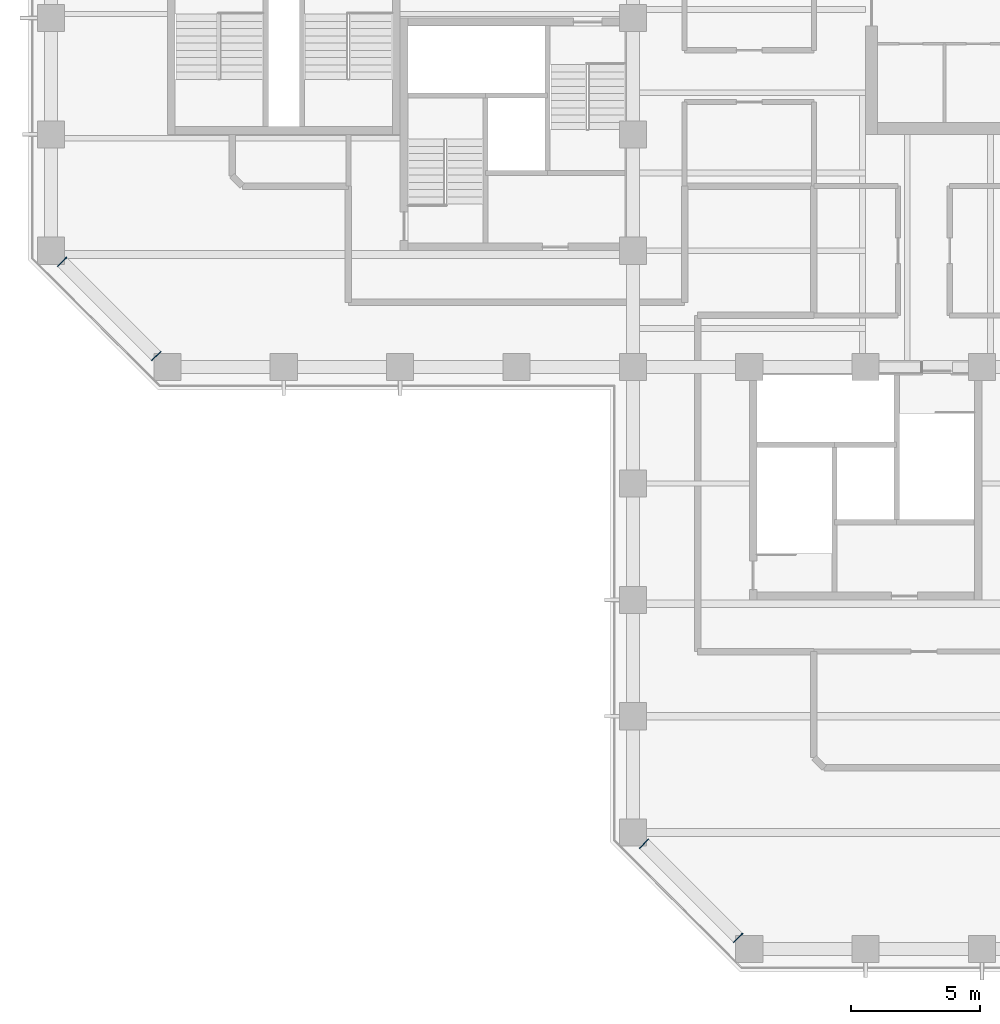
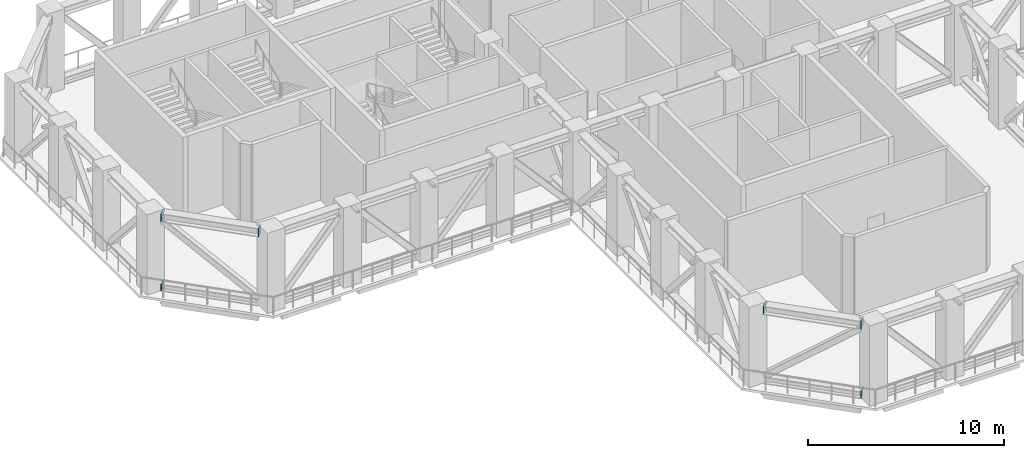
# One storey, part 9 of 14: 6 discrete accessories.
"""IFC4 building model written with IfcOpenShell, lengths in metres."""

import ifcopenshell
import ifcopenshell.guid

model = None  # the IFC model being written
_history = None  # IfcOwnerHistory: only IFC2X3 demands one
_inside = {}  # id of a spatial element -> (the spatial element, [elements in it])
_under = {}  # id of a project, library or spatial element -> (it, [spatial elements below it])
_declared = {}  # id of a project -> (the project, [libraries it declares])
_typed = {}  # id of a type object -> (the type object, [elements of that type])
_made_of = {}  # id of a material, layer set ... -> (it, [elements and type objects made of it])


def new_model(schema):
    """Start an empty IFC model of exactly this schema.

    Asked for "IFC4X3", IfcOpenShell would pick the latest addendum, in which some entities
    have other attributes; the version numbers below select the first issue.
    IFC2X3 requires an IfcOwnerHistory on every rooted entity: one is made here for all.
    """
    global model, _history
    if schema == "IFC4X3":
        model = ifcopenshell.file(schema_version=(4, 3, 0, 0))
    else:
        model = ifcopenshell.file(schema=schema)
    _inside.clear()
    _under.clear()
    _declared.clear()
    _typed.clear()
    _made_of.clear()
    _history = None
    if model.schema == "IFC2X3":
        org = make("IfcOrganization", Name="unknown")
        user = make(
            "IfcPersonAndOrganization",
            ThePerson=make("IfcPerson", FamilyName="unknown"),
            TheOrganization=org,
        )
        app = make(
            "IfcApplication",
            ApplicationDeveloper=org,
            Version="unknown",
            ApplicationFullName="unknown",
            ApplicationIdentifier="unknown",
        )
        _history = make(
            "IfcOwnerHistory",
            OwningUser=user,
            OwningApplication=app,
            ChangeAction="ADDED",
            CreationDate=0,
        )
    return model


def make(cls, **values):
    """One entity of the class cls with the attributes given. An attribute that is None is left unset."""
    return model.create_entity(
        cls, **{name: value for name, value in values.items() if value is not None}
    )


def rooted(cls, **values):
    """An entity with a GlobalId (a new one), such as an element, a storey or a relation."""
    return make(cls, GlobalId=ifcopenshell.guid.new(), OwnerHistory=_history, **values)


def si_unit(unit_type, name, prefix=None):
    """IfcSIUnit, for example si_unit("LENGTHUNIT", "METRE", prefix="MILLI")."""
    return make("IfcSIUnit", UnitType=unit_type, Prefix=prefix, Name=name)


def assignment(units):
    """IfcUnitAssignment: the units of a project."""
    return None if units is None else make("IfcUnitAssignment", Units=units)


def point(xyz):
    """IfcCartesianPoint."""
    return None if xyz is None else make("IfcCartesianPoint", Coordinates=xyz)


def direction(xyz):
    """IfcDirection."""
    return None if xyz is None else make("IfcDirection", DirectionRatios=xyz)


def frame(location, z_axis=None, x_axis=None):
    """IfcAxis2Placement3D, a coordinate frame: its origin and axes. An axis left out is left unset."""
    return make(
        "IfcAxis2Placement3D",
        Location=point(location),
        Axis=direction(z_axis),
        RefDirection=direction(x_axis),
    )


def frame_2d(location, x_axis=None):
    """IfcAxis2Placement2D, a coordinate frame in the plane: its origin and x axis."""
    return make(
        "IfcAxis2Placement2D", Location=point(location), RefDirection=direction(x_axis)
    )


def origin():
    """The frame at (0, 0, 0) with its axes left unset."""
    return frame((0.0, 0.0, 0.0))


def origin_2d():
    """The frame at (0, 0) in the plane with its x axis left unset."""
    return frame_2d((0.0, 0.0))


def place(relative_to, where):
    """IfcLocalPlacement: puts the frame where relative to a parent placement (None: the world)."""
    return make(
        "IfcLocalPlacement", PlacementRelTo=relative_to, RelativePlacement=where
    )


def context(
    kind, dimensions, precision=None, world=None, true_north=None, identifier=None
):
    """IfcGeometricRepresentationContext, for example the 3D "Model" context."""
    return make(
        "IfcGeometricRepresentationContext",
        ContextIdentifier=identifier,
        ContextType=kind,
        CoordinateSpaceDimension=dimensions,
        Precision=precision,
        WorldCoordinateSystem=world,
        TrueNorth=true_north,
    )


def subcontext(parent, identifier, kind, view, scale=None):
    """IfcGeometricRepresentationSubContext, for example "Body" below "Model"."""
    return make(
        "IfcGeometricRepresentationSubContext",
        ContextIdentifier=identifier,
        ContextType=kind,
        ParentContext=parent,
        TargetScale=scale,
        TargetView=view,
    )


def project(units=None, contexts=None):
    """IfcProject with its units and contexts."""
    return rooted(
        "IfcProject",
        Name="project",
        RepresentationContexts=contexts,
        UnitsInContext=assignment(units),
    )


def spatial(cls, under=None, at=None, **own):
    """A site, building, storey or space (cls), placed at a placement, below another one or the project."""
    s = rooted(cls, ObjectPlacement=at, **own)
    if under is not None:
        _under.setdefault(under.id(), (under, []))[1].append(s)
    return s


def profile(cls, at=None, kind="AREA", **sizes):
    """A parametric profile (cls). Its sizes go by their IFC names, for example OverallWidth=200.0."""
    return make(cls, ProfileType=kind, Position=at, **sizes)


def rectangle(**sizes):
    """IfcRectangleProfileDef."""
    return profile("IfcRectangleProfileDef", **sizes)


def extrude(swept, where, along, depth):
    """IfcExtrudedAreaSolid: the profile swept, set in the frame where, extruded along a direction by depth."""
    return make(
        "IfcExtrudedAreaSolid",
        SweptArea=swept,
        Position=where,
        ExtrudedDirection=direction(along),
        Depth=depth,
    )


def shape(context_of_items, identifier, shape_type, items):
    """IfcShapeRepresentation: the items that make up one representation, for example the "Body"."""
    return make(
        "IfcShapeRepresentation",
        ContextOfItems=context_of_items,
        RepresentationIdentifier=identifier,
        RepresentationType=shape_type,
        Items=items,
    )


def material(Name=None, Category=None):
    """IfcMaterial."""
    return make("IfcMaterial", Name=Name, Category=Category)


def made_of(thing, what):
    """Note that an element or type object is made of a material, layer set ...; save() writes the relation."""
    if what is not None:
        _made_of.setdefault(what.id(), (what, []))[1].append(thing)
    return thing


def element(
    cls,
    number,
    at=None,
    inside=None,
    cuts=None,
    type_object=None,
    material=None,
    context=None,
    identifier="Body",
    shape_type=None,
    held_by="IfcProductDefinitionShape",
    body=None,
    shapes=None,
    **own,
):
    """One element of the class cls, such as IfcWall. Its Tag is "e" and its number.

    at: its placement. inside: the storey or other place that contains it. cuts: it is an
    opening in that element (IfcRelVoidsElement). A single representation is given by context,
    identifier, shape_type and body (its items); several are given by shapes. held_by: the class
    of the entity that holds the representations. save() writes the other relations.
    """
    e = rooted(cls, Tag="e%d" % number, ObjectPlacement=at, **own)
    if body is not None:
        shapes = [shape(context, identifier, shape_type, body)]
    if shapes is not None:
        e.Representation = make(held_by, Representations=shapes)
    if inside is not None:
        _inside.setdefault(inside.id(), (inside, []))[1].append(e)
    if cuts is not None:
        rooted(
            "IfcRelVoidsElement", RelatingBuildingElement=cuts, RelatedOpeningElement=e
        )
    if type_object is not None:
        _typed.setdefault(type_object.id(), (type_object, []))[1].append(e)
    return made_of(e, material)


def aggregate(whole, parts):
    """IfcRelAggregates: a whole, such as a stair, and the parts it consists of."""
    return rooted("IfcRelAggregates", RelatingObject=whole, RelatedObjects=parts)


def save(model, path):
    """Write the relations noted so far, then the file.

    IfcRelAggregates (storeys below a building ...), IfcRelContainedInSpatialStructure (elements
    in a storey), IfcRelDefinesByType, IfcRelAssociatesMaterial and IfcRelDeclares: one each for
    every whole, place, type object, material and project.
    """
    for whole, parts in _under.values():
        aggregate(whole, parts)
    for where, things in _inside.values():
        rooted(
            "IfcRelContainedInSpatialStructure",
            RelatedElements=things,
            RelatingStructure=where,
        )
    for kind, things in _typed.values():
        rooted("IfcRelDefinesByType", RelatedObjects=things, RelatingType=kind)
    for what, things in _made_of.values():
        rooted("IfcRelAssociatesMaterial", RelatedObjects=things, RelatingMaterial=what)
    for by, libraries in _declared.values():
        rooted("IfcRelDeclares", RelatingContext=by, RelatedDefinitions=libraries)
    model.write(path)


model = new_model("IFC4")

# Units and contexts
model_context = context("Model", 3, precision=1e-05, world=origin(), true_north=direction((0.0, 1.0)))
body_context = subcontext(model_context, "Body", "Model", "MODEL_VIEW")
ifc_project = project(units=[si_unit("LENGTHUNIT", "METRE"), si_unit("AREAUNIT", "SQUARE_METRE"), si_unit("VOLUMEUNIT", "CUBIC_METRE"), si_unit("PLANEANGLEUNIT", "RADIAN"), si_unit("MASSUNIT", "GRAM", prefix="KILO")], contexts=[model_context])

# Site, building, storey
site_placement = place(None, origin())
site = spatial("IfcSite", under=ifc_project, at=site_placement, CompositionType="ELEMENT")
building_placement = place(site_placement, origin())
building = spatial("IfcBuilding", under=site, at=building_placement, Name="Quoin Convention Tower", CompositionType="ELEMENT")
storey_placement = place(building_placement, frame((0.0, 0.0, 138.10009765625)))
storey = spatial("IfcBuildingStorey", under=building, at=storey_placement, Name="L36", CompositionType="ELEMENT", Elevation=138.10009765625)

# Discrete accessories
ifc_material = material(Name="Steel Grade 350", Category="steel")
discrete_accessory_1_placement = place(storey_placement, frame((13.929443359375, 44.570556640625, 0.0), z_axis=(0.0, 0.0, 1.0), x_axis=(-0.707106781187, 0.707106781187, 0.0)))
element("IfcDiscreteAccessory", 1, at=discrete_accessory_1_placement, inside=storey, material=ifc_material, Name="TRUSS END PLATE TRS-L36-BC-13500_45000-18000_40500 A", ObjectType="Truss end plate", PredefinedType="USERDEFINED", context=body_context, shape_type="SweptSolid", body=[
    extrude(rectangle(XDim=0.030029296875, YDim=0.39990234375, at=origin_2d()), origin(), (0.0, 0.0, 1.0), 0.422119140625),
])
for number, where, z_axis, x_axis, name in (
    (2, (13.929443359375, 44.570556640625, 4.3359375), (0.0, 0.0, 1.0), (-0.707106781187, 0.707106781187, 0.0), "TRUSS END PLATE TRS-L36-TC-13500_45000-18000_40500 A"),
    (3, (17.570556640625, 40.929443359375, 4.3359375), (0.0, 0.0, 1.0), (0.707106781187, -0.707106781187, 0.0), "TRUSS END PLATE TRS-L36-TC-13500_45000-18000_40500 B"),
):
    element("IfcDiscreteAccessory", number, at=place(storey_placement, frame(where, z_axis=z_axis, x_axis=x_axis)), inside=storey, material=ifc_material, Name=name, ObjectType="Truss end plate", PredefinedType="USERDEFINED", context=body_context, shape_type="SweptSolid", body=[
        extrude(rectangle(XDim=0.030029296875, YDim=0.5, at=origin_2d()), origin(), (0.0, 0.0, 1.0), 0.513916015625),
    ])
discrete_accessory_2_placement = place(storey_placement, frame((40.070556640625, 18.429443359375, 0.0), z_axis=(0.0, 0.0, 1.0), x_axis=(0.707106781187, -0.707106781187, 0.0)))
element("IfcDiscreteAccessory", 4, at=discrete_accessory_2_placement, inside=storey, material=ifc_material, Name="TRUSS END PLATE TRS-L36-BC-36000_22500-40500_18000 B", ObjectType="Truss end plate", PredefinedType="USERDEFINED", context=body_context, shape_type="SweptSolid", body=[
    extrude(rectangle(XDim=0.030029296875, YDim=0.39990234375, at=origin_2d()), origin(), (0.0, 0.0, 1.0), 0.422119140625),
])
for number, where, z_axis, x_axis, name in (
    (5, (36.429443359375, 22.070556640625, 4.3359375), (0.0, 0.0, 1.0), (-0.707106781187, 0.707106781187, 0.0), "TRUSS END PLATE TRS-L36-TC-36000_22500-40500_18000 A"),
    (6, (40.070556640625, 18.429443359375, 4.3359375), (0.0, 0.0, 1.0), (0.707106781187, -0.707106781187, 0.0), "TRUSS END PLATE TRS-L36-TC-36000_22500-40500_18000 B"),
):
    element("IfcDiscreteAccessory", number, at=place(storey_placement, frame(where, z_axis=z_axis, x_axis=x_axis)), inside=storey, material=ifc_material, Name=name, ObjectType="Truss end plate", PredefinedType="USERDEFINED", context=body_context, shape_type="SweptSolid", body=[
        extrude(rectangle(XDim=0.030029296875, YDim=0.5, at=origin_2d()), origin(), (0.0, 0.0, 1.0), 0.513916015625),
    ])

save(model, "model.ifc")
